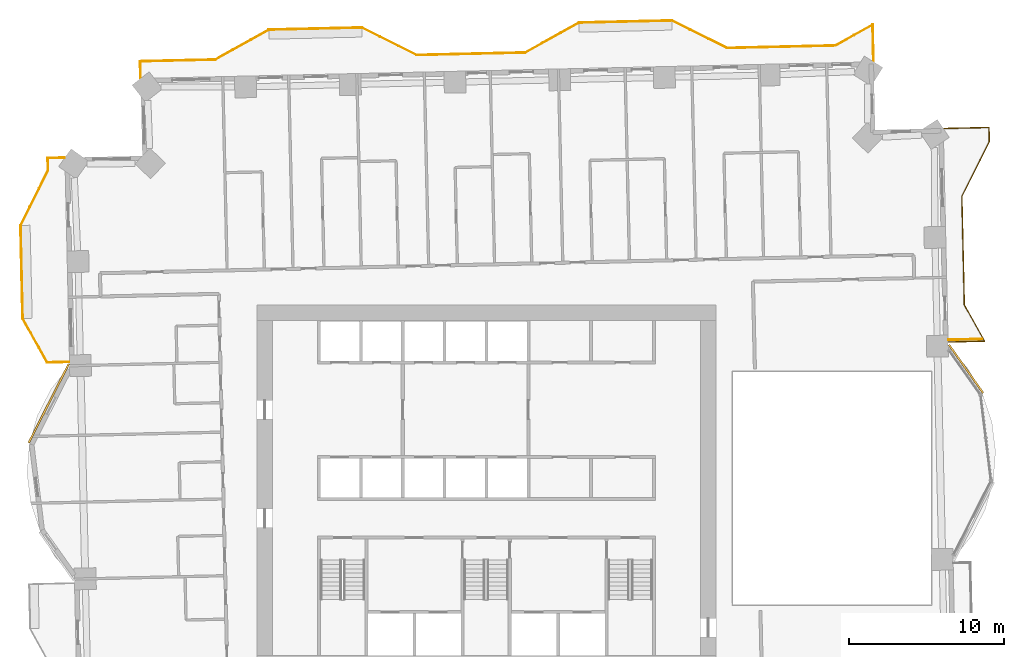
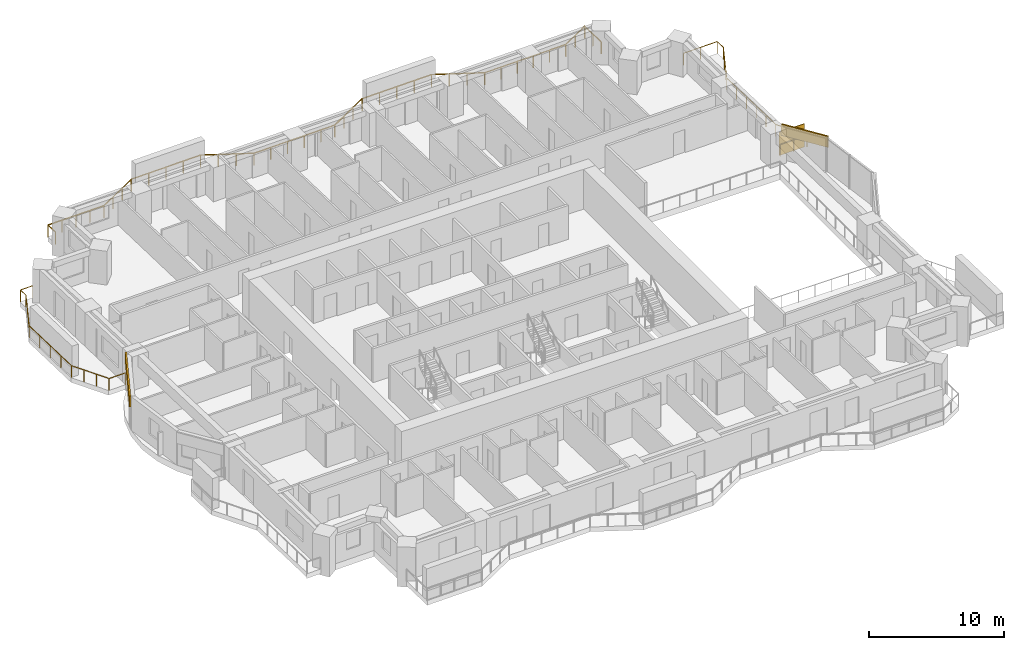
# One storey, part 17 of 17: 3 railings, 2 coverings, 1 shading device.
"""IFC4 building model written with IfcOpenShell, lengths in metres."""

from ifc_helpers import new_model, si_unit, direction, frame, frame_2d, origin, origin_2d, place, context, subcontext, project, spatial, rectangle, extrude, material, layer, layer_set, type_object, element, save


model = new_model("IFC4")

# Units and contexts
model_context = context("Model", 3, precision=1e-05, world=origin(), true_north=direction((0.0, 1.0)))
body_context = subcontext(model_context, "Body", "Model", "MODEL_VIEW")
ifc_project = project(units=[si_unit("LENGTHUNIT", "METRE"), si_unit("AREAUNIT", "SQUARE_METRE"), si_unit("VOLUMEUNIT", "CUBIC_METRE"), si_unit("PLANEANGLEUNIT", "RADIAN"), si_unit("MASSUNIT", "GRAM", prefix="KILO")], contexts=[model_context])

# Site, building, storey
site_placement = place(None, origin())
site = spatial("IfcSite", under=ifc_project, at=site_placement, CompositionType="ELEMENT")
building_placement = place(site_placement, origin())
building = spatial("IfcBuilding", under=site, at=building_placement, Name="Mangrove Gate Tower", CompositionType="ELEMENT")
storey_placement = place(building_placement, frame((0.0, 0.0, 90.10009765625)))
storey = spatial("IfcBuildingStorey", under=building, at=storey_placement, Name="L22", CompositionType="ELEMENT", Elevation=90.10009765625)

# Railings
ifc_material_1 = material(Name="Stainless steel grade 316 with laminated glass infill", Category="steel")
railing_type = type_object("IfcRailingType", Name="Balcony guard 1100", PredefinedType="GUARDRAIL", material=ifc_material_1)
railing_1_placement = place(storey_placement, frame((29.806884765625, 9.4169921875, 0.0)))
element("IfcRailing", 1, at=railing_1_placement, inside=storey, type_object=railing_type, Name="GUARD L22 E2", PredefinedType="GUARDRAIL", context=body_context, shape_type="SweptSolid", body=[
    extrude(rectangle(XDim=0.048095703125, YDim=0.048095703125, at=origin_2d()), frame((0.0, 0.0, 1.076171875), z_axis=(0.9997382857, 0.022877065063, 0.0), x_axis=(-0.022877065063, 0.9997382857, 0.0)), (0.0, 0.0, 1.0), 2.315673828125),
    extrude(rectangle(XDim=0.048095703125, YDim=0.048095703125, at=origin_2d()), frame((2.315185546875, 0.052978515625, 1.076171875), z_axis=(-0.487440307169, 0.873156313009, 0.0), x_axis=(-0.873156313009, -0.487440307169, 0.0)), (0.0, 0.0, 1.0), 2.685546875),
    extrude(rectangle(XDim=0.048095703125, YDim=0.048095703125, at=origin_2d()), frame((1.006103515625, 2.39794921875, 1.076171875), z_axis=(-0.022705559911, 0.999742195543, 0.0), x_axis=(-0.999742195543, -0.022705559911, 0.0)), (0.0, 0.0, 1.0), 6.999755859375),
    extrude(rectangle(XDim=0.048095703125, YDim=0.048095703125, at=origin_2d()), frame((0.84716796875, 9.39599609375, 1.076171875), z_axis=(0.447016280881, 0.894525821107, 0.0), x_axis=(-0.894525821107, 0.447016280881, 0.0)), (0.0, 0.0, 1.0), 3.959716796875),
    extrude(rectangle(XDim=0.048095703125, YDim=0.048095703125, at=origin_2d()), frame((2.6171875, 12.93798828125, 1.076171875), z_axis=(-0.022264984402, 0.999752104509, 0.0), x_axis=(-0.999752104509, -0.022264984402, 0.0)), (0.0, 0.0, 1.0), 0.899169921875),
    extrude(rectangle(XDim=0.048095703125, YDim=0.048095703125, at=origin_2d()), frame((2.59716796875, 13.8369140625, 1.076171875), z_axis=(-0.999743349437, -0.022654696127, 0.0), x_axis=(0.022654696127, -0.999743349437, 0.0)), (0.0, 0.0, 1.0), 2.90966796875),
    extrude(rectangle(XDim=0.0419921875, YDim=0.0419921875, at=origin_2d()), origin(), (0.0, 0.0, 1.0), 1.052001953125),
    extrude(rectangle(XDim=0.0419921875, YDim=0.0419921875, at=origin_2d()), frame((1.15771484375, 0.0263671875, 0.0)), (0.0, 0.0, 1.0), 1.052001953125),
    extrude(rectangle(XDim=0.0419921875, YDim=0.0419921875, at=origin_2d()), frame((2.315185546875, 0.052978515625, 0.0)), (0.0, 0.0, 1.0), 1.052001953125),
    extrude(rectangle(XDim=0.0419921875, YDim=0.0419921875, at=origin_2d()), frame((1.66064453125, 1.2255859375, 0.0)), (0.0, 0.0, 1.0), 1.052001953125),
    extrude(rectangle(XDim=0.0419921875, YDim=0.0419921875, at=origin_2d()), frame((1.006103515625, 2.39794921875, 0.0)), (0.0, 0.0, 1.0), 1.052001953125),
    extrude(rectangle(XDim=0.0419921875, YDim=0.0419921875, at=origin_2d()), frame((0.974365234375, 3.797607421875, 0.0)), (0.0, 0.0, 1.0), 1.052001953125),
    extrude(rectangle(XDim=0.0419921875, YDim=0.0419921875, at=origin_2d()), frame((0.942626953125, 5.197265625, 0.0)), (0.0, 0.0, 1.0), 1.052001953125),
    extrude(rectangle(XDim=0.0419921875, YDim=0.0419921875, at=origin_2d()), frame((0.91064453125, 6.5966796875, 0.0)), (0.0, 0.0, 1.0), 1.052001953125),
    extrude(rectangle(XDim=0.0419921875, YDim=0.0419921875, at=origin_2d()), frame((0.87890625, 7.996337890625, 0.0)), (0.0, 0.0, 1.0), 1.052001953125),
    extrude(rectangle(XDim=0.0419921875, YDim=0.0419921875, at=origin_2d()), frame((0.84716796875, 9.39599609375, 0.0)), (0.0, 0.0, 1.0), 1.052001953125),
    extrude(rectangle(XDim=0.0419921875, YDim=0.0419921875, at=origin_2d()), frame((1.437255859375, 10.57666015625, 0.0)), (0.0, 0.0, 1.0), 1.052001953125),
    extrude(rectangle(XDim=0.0419921875, YDim=0.0419921875, at=origin_2d()), frame((2.027099609375, 11.75732421875, 0.0)), (0.0, 0.0, 1.0), 1.052001953125),
    extrude(rectangle(XDim=0.0419921875, YDim=0.0419921875, at=origin_2d()), frame((2.6171875, 12.93798828125, 0.0)), (0.0, 0.0, 1.0), 1.052001953125),
    extrude(rectangle(XDim=0.0419921875, YDim=0.0419921875, at=origin_2d()), frame((2.59716796875, 13.8369140625, 0.0)), (0.0, 0.0, 1.0), 1.052001953125),
    extrude(rectangle(XDim=0.0419921875, YDim=0.0419921875, at=origin_2d()), frame((1.142578125, 13.803955078125, 0.0)), (0.0, 0.0, 1.0), 1.052001953125),
    extrude(rectangle(XDim=0.0419921875, YDim=0.0419921875, at=origin_2d()), frame((-0.311767578125, 13.77099609375, 0.0)), (0.0, 0.0, 1.0), 1.052001953125),
])
railing_2_placement = place(storey_placement, frame((24.955078125, 27.527099609375, 0.0)))
element("IfcRailing", 2, at=railing_2_placement, inside=storey, type_object=railing_type, Name="GUARD L22 N1", PredefinedType="GUARDRAIL", context=body_context, shape_type="SweptSolid", body=[
    extrude(rectangle(XDim=0.048095703125, YDim=0.048095703125, at=origin_2d()), frame((0.0, 0.0, 1.076171875), z_axis=(-0.022567849065, 0.999745313662, 0.0), x_axis=(-0.999745313662, -0.022567849065, 0.0)), (0.0, 0.0, 1.0), 2.347412109375),
    extrude(rectangle(XDim=0.048095703125, YDim=0.048095703125, at=origin_2d()), frame((-0.052978515625, 2.346923828125, 1.076171875), z_axis=(-0.873177532783, -0.487402294048, 0.0), x_axis=(0.487402294048, -0.873177532783, 0.0)), (0.0, 0.0, 1.0), 2.75537109375),
    extrude(rectangle(XDim=0.048095703125, YDim=0.048095703125, at=origin_2d()), frame((-2.458984375, 1.00390625, 1.076171875), z_axis=(-0.999742267452, -0.022702393474, 0.0), x_axis=(0.022702393474, -0.999742267452, 0.0)), (0.0, 0.0, 1.0), 7.000732421875),
    extrude(rectangle(XDim=0.048095703125, YDim=0.048095703125, at=origin_2d()), frame((-9.4580078125, 0.844970703125, 1.076171875), z_axis=(-0.894476522376, 0.447114919141, 0.0), x_axis=(-0.447114919141, -0.894476522376, 0.0)), (0.0, 0.0, 1.0), 3.958740234375),
    extrude(rectangle(XDim=0.048095703125, YDim=0.048095703125, at=origin_2d()), frame((-12.9990234375, 2.614990234375, 1.076171875), z_axis=(-0.999743094499, -0.022665943652, 0.0), x_axis=(0.022665943652, -0.999743094499, 0.0)), (0.0, 0.0, 1.0), 5.99951171875),
    extrude(rectangle(XDim=0.048095703125, YDim=0.048095703125, at=origin_2d()), frame((-18.9970703125, 2.47900390625, 1.076171875), z_axis=(-0.873230657876, -0.487307108654, 0.0), x_axis=(0.487307108654, -0.873230657876, 0.0)), (0.0, 0.0, 1.0), 3.958984375),
    extrude(rectangle(XDim=0.048095703125, YDim=0.048095703125, at=origin_2d()), frame((-22.4541015625, 0.5498046875, 1.076171875), z_axis=(-0.99974965137, -0.022374865036, 0.0), x_axis=(0.022374865036, -0.99974965137, 0.0)), (0.0, 0.0, 1.0), 1.2001953125),
    extrude(rectangle(XDim=0.048095703125, YDim=0.048095703125, at=origin_2d()), frame((-23.654052734375, 0.52294921875, 1.076171875), z_axis=(-0.999740638867, -0.0227739983, 0.0), x_axis=(0.0227739983, -0.999740638867, 0.0)), (0.0, 0.0, 1.0), 5.799560546875),
    extrude(rectangle(XDim=0.048095703125, YDim=0.048095703125, at=origin_2d()), frame((-29.4521484375, 0.390869140625, 1.076171875), z_axis=(-0.894427191, 0.4472135955, 0.0), x_axis=(-0.4472135955, -0.894427191, 0.0)), (0.0, 0.0, 1.0), 3.9599609375),
    extrude(rectangle(XDim=0.048095703125, YDim=0.048095703125, at=origin_2d()), frame((-32.994140625, 2.161865234375, 1.076171875), z_axis=(-0.999739392852, -0.022828630714, 0.0), x_axis=(0.022828630714, -0.999739392852, 0.0)), (0.0, 0.0, 1.0), 5.99951171875),
    extrude(rectangle(XDim=0.048095703125, YDim=0.048095703125, at=origin_2d()), frame((-38.9921875, 2.02490234375, 1.076171875), z_axis=(-0.873242256246, -0.487286324359, 0.0), x_axis=(0.487286324359, -0.873242256246, 0.0)), (0.0, 0.0, 1.0), 3.95849609375),
    extrude(rectangle(XDim=0.048095703125, YDim=0.048095703125, at=origin_2d()), frame((-42.448974609375, 0.095947265625, 1.076171875), z_axis=(-0.999745393509, -0.022564311583, 0.0), x_axis=(0.022564311583, -0.999745393509, 0.0)), (0.0, 0.0, 1.0), 4.83642578125),
    extrude(rectangle(XDim=0.048095703125, YDim=0.048095703125, at=origin_2d()), frame((-47.2841796875, -0.01318359375, 1.076171875), z_axis=(0.022799876723, -0.999740049023, 0.0), x_axis=(0.999740049023, 0.022799876723, 0.0)), (0.0, 0.0, 1.0), 1.06005859375),
    extrude(rectangle(XDim=0.0419921875, YDim=0.0419921875, at=origin_2d()), origin(), (0.0, 0.0, 1.0), 1.052001953125),
    extrude(rectangle(XDim=0.0419921875, YDim=0.0419921875, at=origin_2d()), frame((-0.0263671875, 1.17333984375, 0.0)), (0.0, 0.0, 1.0), 1.052001953125),
    extrude(rectangle(XDim=0.0419921875, YDim=0.0419921875, at=origin_2d()), frame((-0.052978515625, 2.346923828125, 0.0)), (0.0, 0.0, 1.0), 1.052001953125),
    extrude(rectangle(XDim=0.0419921875, YDim=0.0419921875, at=origin_2d()), frame((-1.255859375, 1.67529296875, 0.0)), (0.0, 0.0, 1.0), 1.052001953125),
    extrude(rectangle(XDim=0.0419921875, YDim=0.0419921875, at=origin_2d()), frame((-2.458984375, 1.00390625, 0.0)), (0.0, 0.0, 1.0), 1.052001953125),
    extrude(rectangle(XDim=0.0419921875, YDim=0.0419921875, at=origin_2d()), frame((-3.85888671875, 0.97216796875, 0.0)), (0.0, 0.0, 1.0), 1.052001953125),
    extrude(rectangle(XDim=0.0419921875, YDim=0.0419921875, at=origin_2d()), frame((-5.258544921875, 0.9404296875, 0.0)), (0.0, 0.0, 1.0), 1.052001953125),
    extrude(rectangle(XDim=0.0419921875, YDim=0.0419921875, at=origin_2d()), frame((-6.658447265625, 0.908447265625, 0.0)), (0.0, 0.0, 1.0), 1.052001953125),
    extrude(rectangle(XDim=0.0419921875, YDim=0.0419921875, at=origin_2d()), frame((-8.05810546875, 0.876708984375, 0.0)), (0.0, 0.0, 1.0), 1.052001953125),
    extrude(rectangle(XDim=0.0419921875, YDim=0.0419921875, at=origin_2d()), frame((-9.4580078125, 0.844970703125, 0.0)), (0.0, 0.0, 1.0), 1.052001953125),
    extrude(rectangle(XDim=0.0419921875, YDim=0.0419921875, at=origin_2d()), frame((-10.638427734375, 1.43505859375, 0.0)), (0.0, 0.0, 1.0), 1.052001953125),
    extrude(rectangle(XDim=0.0419921875, YDim=0.0419921875, at=origin_2d()), frame((-11.818603515625, 2.02490234375, 0.0)), (0.0, 0.0, 1.0), 1.052001953125),
    extrude(rectangle(XDim=0.0419921875, YDim=0.0419921875, at=origin_2d()), frame((-12.9990234375, 2.614990234375, 0.0)), (0.0, 0.0, 1.0), 1.052001953125),
    extrude(rectangle(XDim=0.0419921875, YDim=0.0419921875, at=origin_2d()), frame((-14.49853515625, 2.5810546875, 0.0)), (0.0, 0.0, 1.0), 1.052001953125),
    extrude(rectangle(XDim=0.0419921875, YDim=0.0419921875, at=origin_2d()), frame((-15.998046875, 2.546875, 0.0)), (0.0, 0.0, 1.0), 1.052001953125),
    extrude(rectangle(XDim=0.0419921875, YDim=0.0419921875, at=origin_2d()), frame((-17.49755859375, 2.512939453125, 0.0)), (0.0, 0.0, 1.0), 1.052001953125),
    extrude(rectangle(XDim=0.0419921875, YDim=0.0419921875, at=origin_2d()), frame((-18.9970703125, 2.47900390625, 0.0)), (0.0, 0.0, 1.0), 1.052001953125),
    extrude(rectangle(XDim=0.0419921875, YDim=0.0419921875, at=origin_2d()), frame((-20.1494140625, 1.8359375, 0.0)), (0.0, 0.0, 1.0), 1.052001953125),
    extrude(rectangle(XDim=0.0419921875, YDim=0.0419921875, at=origin_2d()), frame((-21.3017578125, 1.19287109375, 0.0)), (0.0, 0.0, 1.0), 1.052001953125),
    extrude(rectangle(XDim=0.0419921875, YDim=0.0419921875, at=origin_2d()), frame((-22.4541015625, 0.5498046875, 0.0)), (0.0, 0.0, 1.0), 1.052001953125),
    extrude(rectangle(XDim=0.0419921875, YDim=0.0419921875, at=origin_2d()), frame((-23.654052734375, 0.52294921875, 0.0)), (0.0, 0.0, 1.0), 1.052001953125),
    extrude(rectangle(XDim=0.0419921875, YDim=0.0419921875, at=origin_2d()), frame((-25.103515625, 0.489990234375, 0.0)), (0.0, 0.0, 1.0), 1.052001953125),
    extrude(rectangle(XDim=0.0419921875, YDim=0.0419921875, at=origin_2d()), frame((-26.55322265625, 0.45703125, 0.0)), (0.0, 0.0, 1.0), 1.052001953125),
    extrude(rectangle(XDim=0.0419921875, YDim=0.0419921875, at=origin_2d()), frame((-28.002685546875, 0.423828125, 0.0)), (0.0, 0.0, 1.0), 1.052001953125),
    extrude(rectangle(XDim=0.0419921875, YDim=0.0419921875, at=origin_2d()), frame((-29.4521484375, 0.390869140625, 0.0)), (0.0, 0.0, 1.0), 1.052001953125),
    extrude(rectangle(XDim=0.0419921875, YDim=0.0419921875, at=origin_2d()), frame((-30.6328125, 0.981201171875, 0.0)), (0.0, 0.0, 1.0), 1.052001953125),
    extrude(rectangle(XDim=0.0419921875, YDim=0.0419921875, at=origin_2d()), frame((-31.8134765625, 1.571533203125, 0.0)), (0.0, 0.0, 1.0), 1.052001953125),
    extrude(rectangle(XDim=0.0419921875, YDim=0.0419921875, at=origin_2d()), frame((-32.994140625, 2.161865234375, 0.0)), (0.0, 0.0, 1.0), 1.052001953125),
    extrude(rectangle(XDim=0.0419921875, YDim=0.0419921875, at=origin_2d()), frame((-34.49365234375, 2.127685546875, 0.0)), (0.0, 0.0, 1.0), 1.052001953125),
    extrude(rectangle(XDim=0.0419921875, YDim=0.0419921875, at=origin_2d()), frame((-35.9931640625, 2.09326171875, 0.0)), (0.0, 0.0, 1.0), 1.052001953125),
    extrude(rectangle(XDim=0.0419921875, YDim=0.0419921875, at=origin_2d()), frame((-37.49267578125, 2.05908203125, 0.0)), (0.0, 0.0, 1.0), 1.052001953125),
    extrude(rectangle(XDim=0.0419921875, YDim=0.0419921875, at=origin_2d()), frame((-38.9921875, 2.02490234375, 0.0)), (0.0, 0.0, 1.0), 1.052001953125),
    extrude(rectangle(XDim=0.0419921875, YDim=0.0419921875, at=origin_2d()), frame((-40.14453125, 1.3818359375, 0.0)), (0.0, 0.0, 1.0), 1.052001953125),
    extrude(rectangle(XDim=0.0419921875, YDim=0.0419921875, at=origin_2d()), frame((-41.296630859375, 0.739013671875, 0.0)), (0.0, 0.0, 1.0), 1.052001953125),
    extrude(rectangle(XDim=0.0419921875, YDim=0.0419921875, at=origin_2d()), frame((-42.448974609375, 0.095947265625, 0.0)), (0.0, 0.0, 1.0), 1.052001953125),
    extrude(rectangle(XDim=0.0419921875, YDim=0.0419921875, at=origin_2d()), frame((-43.65771484375, 0.068603515625, 0.0)), (0.0, 0.0, 1.0), 1.052001953125),
    extrude(rectangle(XDim=0.0419921875, YDim=0.0419921875, at=origin_2d()), frame((-44.86669921875, 0.04150390625, 0.0)), (0.0, 0.0, 1.0), 1.052001953125),
    extrude(rectangle(XDim=0.0419921875, YDim=0.0419921875, at=origin_2d()), frame((-46.075439453125, 0.01416015625, 0.0)), (0.0, 0.0, 1.0), 1.052001953125),
    extrude(rectangle(XDim=0.0419921875, YDim=0.0419921875, at=origin_2d()), frame((-47.2841796875, -0.01318359375, 0.0)), (0.0, 0.0, 1.0), 1.052001953125),
    extrude(rectangle(XDim=0.0419921875, YDim=0.0419921875, at=origin_2d()), frame((-47.260009765625, -1.072998046875, 0.0)), (0.0, 0.0, 1.0), 1.052001953125),
])
railing_3_placement = place(storey_placement, frame((-27.22900390625, 21.301025390625, 0.0)))
element("IfcRailing", 3, at=railing_3_placement, inside=storey, type_object=railing_type, Name="GUARD L22 W1", PredefinedType="GUARDRAIL", context=body_context, shape_type="SweptSolid", body=[
    extrude(rectangle(XDim=0.048095703125, YDim=0.048095703125, at=origin_2d()), frame((0.0, 0.0, 1.076171875), z_axis=(-0.999745389313, -0.022564497502, 0.0), x_axis=(0.022564497502, -0.999745389313, 0.0)), (0.0, 0.0, 1.0), 1.060302734375),
    extrude(rectangle(XDim=0.048095703125, YDim=0.048095703125, at=origin_2d()), frame((-1.06005859375, -0.02392578125, 1.076171875), z_axis=(0.022575874215, -0.999745132473, 0.0), x_axis=(0.999745132473, 0.022575874215, 0.0)), (0.0, 0.0, 1.0), 0.80029296875),
    extrude(rectangle(XDim=0.048095703125, YDim=0.048095703125, at=origin_2d()), frame((-1.0419921875, -0.823974609375, 1.076171875), z_axis=(-0.447114919141, -0.894476522376, 0.0), x_axis=(0.894476522376, -0.447114919141, 0.0)), (0.0, 0.0, 1.0), 3.958740234375),
    extrude(rectangle(XDim=0.048095703125, YDim=0.048095703125, at=origin_2d()), frame((-2.81201171875, -4.364990234375, 1.076171875), z_axis=(0.022665943652, -0.999743094499, 0.0), x_axis=(0.999743094499, 0.022665943652, 0.0)), (0.0, 0.0, 1.0), 5.99951171875),
    extrude(rectangle(XDim=0.048095703125, YDim=0.048095703125, at=origin_2d()), frame((-2.676025390625, -10.363037109375, 1.076171875), z_axis=(0.487089238085, -0.873352205093, 0.0), x_axis=(0.873352205093, 0.487089238085, 0.0)), (0.0, 0.0, 1.0), 3.251953125),
    extrude(rectangle(XDim=0.048095703125, YDim=0.048095703125, at=origin_2d()), frame((-1.092041015625, -13.203125, 1.076171875), z_axis=(0.999735822648, 0.022984449415, 0.0), x_axis=(-0.022984449415, 0.999735822648, 0.0)), (0.0, 0.0, 1.0), 1.3916015625),
    extrude(rectangle(XDim=0.0419921875, YDim=0.0419921875, at=origin_2d()), origin(), (0.0, 0.0, 1.0), 1.052001953125),
    extrude(rectangle(XDim=0.0419921875, YDim=0.0419921875, at=origin_2d()), frame((-1.06005859375, -0.02392578125, 0.0)), (0.0, 0.0, 1.0), 1.052001953125),
    extrude(rectangle(XDim=0.0419921875, YDim=0.0419921875, at=origin_2d()), frame((-1.0419921875, -0.823974609375, 0.0)), (0.0, 0.0, 1.0), 1.052001953125),
    extrude(rectangle(XDim=0.0419921875, YDim=0.0419921875, at=origin_2d()), frame((-1.632080078125, -2.00439453125, 0.0)), (0.0, 0.0, 1.0), 1.052001953125),
    extrude(rectangle(XDim=0.0419921875, YDim=0.0419921875, at=origin_2d()), frame((-2.221923828125, -3.1845703125, 0.0)), (0.0, 0.0, 1.0), 1.052001953125),
    extrude(rectangle(XDim=0.0419921875, YDim=0.0419921875, at=origin_2d()), frame((-2.81201171875, -4.364990234375, 0.0)), (0.0, 0.0, 1.0), 1.052001953125),
    extrude(rectangle(XDim=0.0419921875, YDim=0.0419921875, at=origin_2d()), frame((-2.778076171875, -5.864501953125, 0.0)), (0.0, 0.0, 1.0), 1.052001953125),
    extrude(rectangle(XDim=0.0419921875, YDim=0.0419921875, at=origin_2d()), frame((-2.744140625, -7.364013671875, 0.0)), (0.0, 0.0, 1.0), 1.052001953125),
    extrude(rectangle(XDim=0.0419921875, YDim=0.0419921875, at=origin_2d()), frame((-2.7099609375, -8.863525390625, 0.0)), (0.0, 0.0, 1.0), 1.052001953125),
    extrude(rectangle(XDim=0.0419921875, YDim=0.0419921875, at=origin_2d()), frame((-2.676025390625, -10.363037109375, 0.0)), (0.0, 0.0, 1.0), 1.052001953125),
    extrude(rectangle(XDim=0.0419921875, YDim=0.0419921875, at=origin_2d()), frame((-2.14794921875, -11.309814453125, 0.0)), (0.0, 0.0, 1.0), 1.052001953125),
    extrude(rectangle(XDim=0.0419921875, YDim=0.0419921875, at=origin_2d()), frame((-1.6201171875, -12.25634765625, 0.0)), (0.0, 0.0, 1.0), 1.052001953125),
    extrude(rectangle(XDim=0.0419921875, YDim=0.0419921875, at=origin_2d()), frame((-1.092041015625, -13.203125, 0.0)), (0.0, 0.0, 1.0), 1.052001953125),
    extrude(rectangle(XDim=0.0419921875, YDim=0.0419921875, at=origin_2d()), frame((0.299072265625, -13.171142578125, 0.0)), (0.0, 0.0, 1.0), 1.052001953125),
])

# Shading device
ifc_material_2 = material(Name="Timber slat screen in teak", Category="wood")
shading_device_type = type_object("IfcShadingDeviceType", Name="Balcony screen 2100", PredefinedType="USERDEFINED", material=ifc_material_2)
shading_device_placement = place(storey_placement, frame((30.881103515625, 9.58203125, -0.000244140625), z_axis=(0.0, 0.0, 1.0), x_axis=(0.999736234843, 0.022966513488, 0.0)))
element("IfcShadingDevice", 4, at=shading_device_placement, inside=storey, type_object=shading_device_type, Name="SCREEN L22 E1", ObjectType="SCREEN", PredefinedType="USERDEFINED", context=body_context, shape_type="SweptSolid", body=[
    extrude(rectangle(XDim=2.196044921875, YDim=0.050048828125, at=origin_2d()), origin(), (0.0, 0.0, 1.0), 2.10009765625),
])

# Coverings
ifc_material_3 = material(Name="Limestone", Category="masonry")
ifc_layer_1 = layer(ifc_material_3, 0.0400390625, Name="Limestone cladding")
ifc_material_4 = material(Name="Stainless steel anchors and cavity", Category="steel")
ifc_layer_2 = layer(ifc_material_4, 0.080078125, Name="Fixing cavity")
ifc_layer_set = layer_set([ifc_layer_1, ifc_layer_2], Name="Joint fascia cladding 120")
covering_type = type_object("IfcCoveringType", Name="Joint fascia cladding 120", PredefinedType="CLADDING", material=ifc_layer_set)
covering_1_placement = place(storey_placement, frame((32.02294921875, 6.131103515625, 2.0498046875), z_axis=(0.0, 0.0, 1.0), x_axis=(-0.578168098379, 0.815917673553, 0.0)))
element("IfcCovering", 5, at=covering_1_placement, inside=storey, type_object=covering_type, Name="STONE FASCIA L22 E1.L2", PredefinedType="CLADDING", context=body_context, shape_type="SweptSolid", body=[
    extrude(rectangle(XDim=3.819091796875, YDim=0.1201171875, at=frame_2d((1.90966796875, 0.0))), origin(), (0.0, 0.0, 1.0), 1.0),
])
covering_2_placement = place(storey_placement, frame((-26.937255859375, 8.00537109375, 2.0498046875), z_axis=(0.0, 0.0, 1.0), x_axis=(-0.452477241859, -0.891775950337, 0.0)))
element("IfcCovering", 6, at=covering_2_placement, inside=storey, type_object=covering_type, Name="STONE FASCIA L22 W9.L1", PredefinedType="CLADDING", context=body_context, shape_type="SweptSolid", body=[
    extrude(rectangle(XDim=5.705810546875, YDim=0.1201171875, at=frame_2d((2.85302734375, 0.0))), origin(), (0.0, 0.0, 1.0), 1.0),
])

save(model, "model.ifc")
